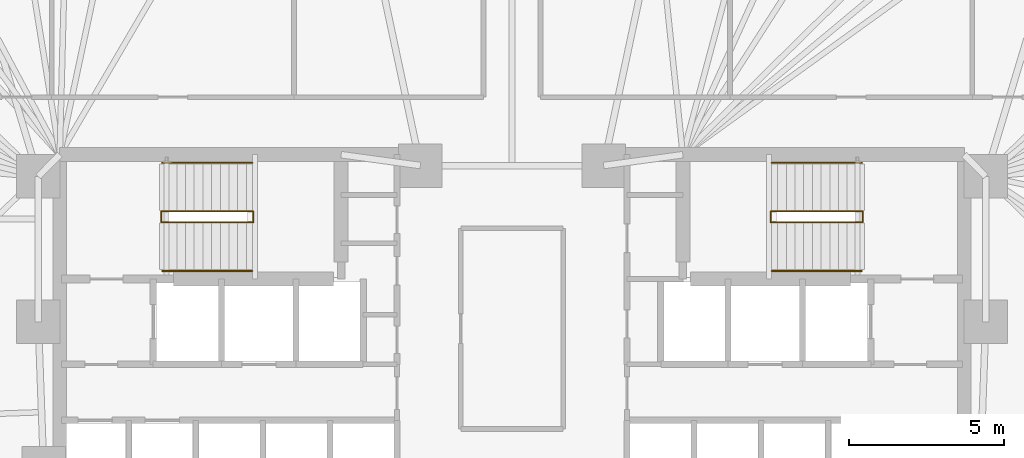
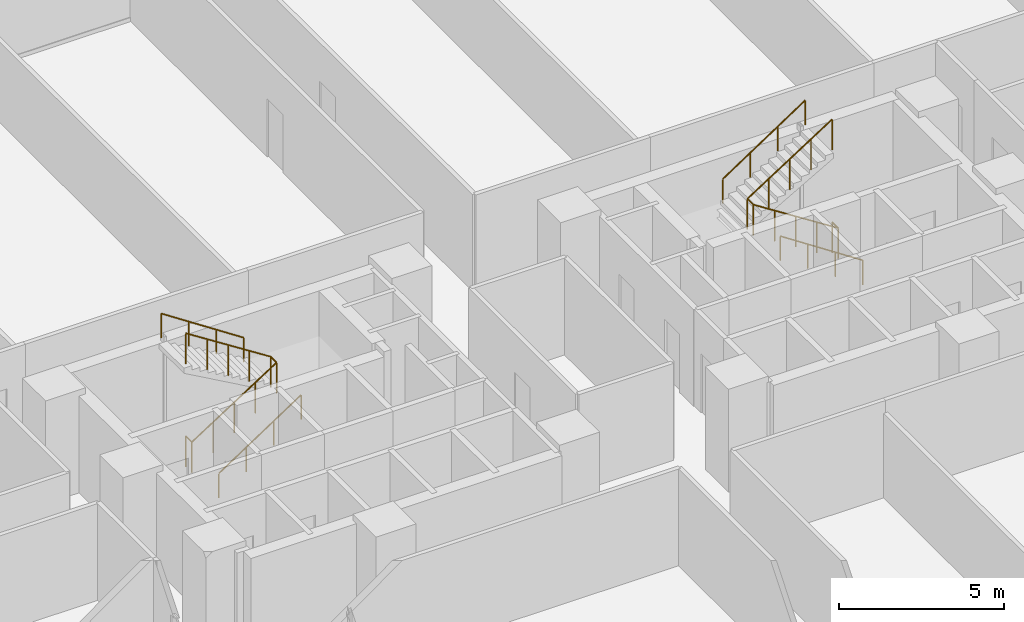
# One storey, part 17 of 17: 6 railings.
"""IFC4 building model written with IfcOpenShell, lengths in metres."""

from ifc_helpers import new_model, si_unit, direction, frame, origin, origin_2d, place, context, subcontext, project, spatial, circle, extrude, material, type_object, element, save


model = new_model("IFC4")

# Units and contexts
model_context = context("Model", 3, precision=1e-05, world=origin(), true_north=direction((0.0, 1.0)))
body_context = subcontext(model_context, "Body", "Model", "MODEL_VIEW")
ifc_project = project(units=[si_unit("LENGTHUNIT", "METRE"), si_unit("AREAUNIT", "SQUARE_METRE"), si_unit("VOLUMEUNIT", "CUBIC_METRE"), si_unit("PLANEANGLEUNIT", "RADIAN"), si_unit("MASSUNIT", "GRAM", prefix="KILO")], contexts=[model_context])

# Site, building, storey
site_placement = place(None, origin())
site = spatial("IfcSite", under=ifc_project, at=site_placement, CompositionType="ELEMENT")
building_placement = place(site_placement, origin())
building = spatial("IfcBuilding", under=site, at=building_placement, Name="Menara Jurai Vektor", CompositionType="ELEMENT")
storey_placement = place(building_placement, frame((0.0, 0.0, 37.0)))
storey = spatial("IfcBuildingStorey", under=building, at=storey_placement, Name="L08", CompositionType="ELEMENT", Elevation=37.0)

# Railings
ifc_material_1 = material(Name="Painted Galvanised Steel Balustrade", Category="steel")
railing_type_1 = type_object("IfcRailingType", Name="RAIL-STAIR-GUARD", PredefinedType="GUARDRAIL", material=ifc_material_1)
railing_1_placement = place(storey_placement, frame((-11.2900390625, 3.780029296875, 0.0)))
element("IfcRailing", 1, at=railing_1_placement, inside=storey, type_object=railing_type_1, Name="ST1 Stair Guardrail 1 L08", PredefinedType="GUARDRAIL", context=body_context, shape_type="SweptSolid", body=[
    extrude(circle(Radius=0.02392578125, at=origin_2d()), frame((0.0, 0.0, 1.1259765625), z_axis=(0.0, -1.0, 0.0), x_axis=(1.0, 0.0, 0.0)), (0.0, 0.0, 1.0), 0.360107421875),
    extrude(circle(Radius=0.02392578125, at=origin_2d()), frame((0.0, -0.360107421875, 1.1259765625), z_axis=(0.841557155905, 0.0, 0.540168078791), x_axis=(0.0, 1.0, 0.0)), (0.0, 0.0, 1.0), 3.517333984375),
    extrude(circle(Radius=0.02392578125, at=origin_2d()), frame((2.9599609375, -0.360107421875, 3.02587890625), z_axis=(0.0, 1.0, 0.0), x_axis=(-1.0, 0.0, 0.0)), (0.0, 0.0, 1.0), 0.360107421875),
    extrude(circle(Radius=0.02392578125, at=origin_2d()), frame((2.9599609375, 0.0, 3.02587890625), z_axis=(-0.841525601958, 0.0, 0.540217235239), x_axis=(0.0, -1.0, 0.0)), (0.0, 0.0, 1.0), 3.517333984375),
    extrude(circle(Radius=0.02099609375, at=origin_2d()), origin(), (0.0, 0.0, 1.0), 1.101806640625),
    extrude(circle(Radius=0.02099609375, at=origin_2d()), frame((0.0, -0.360107421875, 0.0)), (0.0, 0.0, 1.0), 1.101806640625),
    extrude(circle(Radius=0.02099609375, at=origin_2d()), frame((0.739990234375, -0.360107421875, 0.47509765625)), (0.0, 0.0, 1.0), 1.101806640625),
    extrude(circle(Radius=0.02099609375, at=origin_2d()), frame((1.47998046875, -0.360107421875, 0.949951171875)), (0.0, 0.0, 1.0), 1.101806640625),
    extrude(circle(Radius=0.02099609375, at=origin_2d()), frame((2.219970703125, -0.360107421875, 1.4248046875)), (0.0, 0.0, 1.0), 1.101806640625),
    extrude(circle(Radius=0.02099609375, at=origin_2d()), frame((2.9599609375, -0.360107421875, 1.89990234375)), (0.0, 0.0, 1.0), 1.101806640625),
    extrude(circle(Radius=0.02099609375, at=origin_2d()), frame((2.9599609375, 0.0, 1.89990234375)), (0.0, 0.0, 1.0), 1.101806640625),
    extrude(circle(Radius=0.02099609375, at=origin_2d()), frame((2.219970703125, 0.0, 2.375)), (0.0, 0.0, 1.0), 1.101806640625),
    extrude(circle(Radius=0.02099609375, at=origin_2d()), frame((1.47998046875, 0.0, 2.85009765625)), (0.0, 0.0, 1.0), 1.101806640625),
    extrude(circle(Radius=0.02099609375, at=origin_2d()), frame((0.739990234375, 0.0, 3.324951171875)), (0.0, 0.0, 1.0), 1.101806640625),
    extrude(circle(Radius=0.02099609375, at=origin_2d()), frame((0.0, 0.0, 3.800048828125)), (0.0, 0.0, 1.0), 1.101806640625),
])
railing_2_placement = place(storey_placement, frame((11.2900390625, 3.780029296875, 0.0)))
element("IfcRailing", 2, at=railing_2_placement, inside=storey, type_object=railing_type_1, Name="ST2 Stair Guardrail 1 L08", PredefinedType="GUARDRAIL", context=body_context, shape_type="SweptSolid", body=[
    extrude(circle(Radius=0.02392578125, at=origin_2d()), frame((0.0, 0.0, 1.1259765625), z_axis=(0.0, -1.0, 0.0), x_axis=(1.0, 0.0, 0.0)), (0.0, 0.0, 1.0), 0.360107421875),
    extrude(circle(Radius=0.02392578125, at=origin_2d()), frame((0.0, -0.360107421875, 1.1259765625), z_axis=(-0.841557155905, 0.0, 0.540168078791), x_axis=(0.0, -1.0, 0.0)), (0.0, 0.0, 1.0), 3.517333984375),
    extrude(circle(Radius=0.02392578125, at=origin_2d()), frame((-2.9599609375, -0.360107421875, 3.02587890625), z_axis=(0.0, 1.0, 0.0), x_axis=(-1.0, 0.0, 0.0)), (0.0, 0.0, 1.0), 0.360107421875),
    extrude(circle(Radius=0.02392578125, at=origin_2d()), frame((-2.9599609375, 0.0, 3.02587890625), z_axis=(0.841525601958, 0.0, 0.540217235239), x_axis=(0.0, 1.0, 0.0)), (0.0, 0.0, 1.0), 3.517333984375),
    extrude(circle(Radius=0.02099609375, at=origin_2d()), origin(), (0.0, 0.0, 1.0), 1.101806640625),
    extrude(circle(Radius=0.02099609375, at=origin_2d()), frame((0.0, -0.360107421875, 0.0)), (0.0, 0.0, 1.0), 1.101806640625),
    extrude(circle(Radius=0.02099609375, at=origin_2d()), frame((-0.739990234375, -0.360107421875, 0.47509765625)), (0.0, 0.0, 1.0), 1.101806640625),
    extrude(circle(Radius=0.02099609375, at=origin_2d()), frame((-1.47998046875, -0.360107421875, 0.949951171875)), (0.0, 0.0, 1.0), 1.101806640625),
    extrude(circle(Radius=0.02099609375, at=origin_2d()), frame((-2.219970703125, -0.360107421875, 1.4248046875)), (0.0, 0.0, 1.0), 1.101806640625),
    extrude(circle(Radius=0.02099609375, at=origin_2d()), frame((-2.9599609375, -0.360107421875, 1.89990234375)), (0.0, 0.0, 1.0), 1.101806640625),
    extrude(circle(Radius=0.02099609375, at=origin_2d()), frame((-2.9599609375, 0.0, 1.89990234375)), (0.0, 0.0, 1.0), 1.101806640625),
    extrude(circle(Radius=0.02099609375, at=origin_2d()), frame((-2.219970703125, 0.0, 2.375)), (0.0, 0.0, 1.0), 1.101806640625),
    extrude(circle(Radius=0.02099609375, at=origin_2d()), frame((-1.47998046875, 0.0, 2.85009765625)), (0.0, 0.0, 1.0), 1.101806640625),
    extrude(circle(Radius=0.02099609375, at=origin_2d()), frame((-0.739990234375, 0.0, 3.324951171875)), (0.0, 0.0, 1.0), 1.101806640625),
    extrude(circle(Radius=0.02099609375, at=origin_2d()), frame((0.0, 0.0, 3.800048828125)), (0.0, 0.0, 1.0), 1.101806640625),
])
ifc_material_2 = material(Name="Brushed Stainless Steel Handrail", Category="steel")
railing_type_2 = type_object("IfcRailingType", Name="RAIL-STAIR-HAND", PredefinedType="HANDRAIL", material=ifc_material_2)
railing_3_placement = place(storey_placement, frame((-11.25, 1.860107421875, 0.0)))
element("IfcRailing", 3, at=railing_3_placement, inside=storey, type_object=railing_type_2, Name="ST1 Stair Handrail 1 L08", PredefinedType="HANDRAIL", context=body_context, shape_type="SweptSolid", body=[
    extrude(circle(Radius=0.02392578125, at=origin_2d()), frame((0.0, 0.0, 0.89599609375), z_axis=(0.834718698933, 0.0, 0.550676578085), x_axis=(0.0, 1.0, 0.0)), (0.0, 0.0, 1.0), 3.4501953125),
    extrude(circle(Radius=0.02099609375, at=origin_2d()), origin(), (0.0, 0.0, 1.0), 0.871826171875),
    extrude(circle(Radius=0.02099609375, at=origin_2d()), frame((0.9599609375, 0.0, 0.63330078125)), (0.0, 0.0, 1.0), 0.871826171875),
    extrude(circle(Radius=0.02099609375, at=origin_2d()), frame((1.919921875, 0.0, 1.2666015625)), (0.0, 0.0, 1.0), 0.871826171875),
    extrude(circle(Radius=0.02099609375, at=origin_2d()), frame((2.8798828125, 0.0, 1.89990234375)), (0.0, 0.0, 1.0), 0.871826171875),
])
railing_4_placement = place(storey_placement, frame((-8.3701171875, 5.340087890625, 1.89990234375)))
element("IfcRailing", 4, at=railing_4_placement, inside=storey, type_object=railing_type_2, Name="ST1 Stair Handrail 2 L08", PredefinedType="HANDRAIL", context=body_context, shape_type="SweptSolid", body=[
    extrude(circle(Radius=0.02392578125, at=origin_2d()), frame((0.0, 0.0, 0.89599609375), z_axis=(-0.834686171885, 0.0, 0.550725879602), x_axis=(0.0, -1.0, 0.0)), (0.0, 0.0, 1.0), 3.4501953125),
    extrude(circle(Radius=0.02099609375, at=origin_2d()), origin(), (0.0, 0.0, 1.0), 0.871826171875),
    extrude(circle(Radius=0.02099609375, at=origin_2d()), frame((-0.9599609375, 0.0, 0.63330078125)), (0.0, 0.0, 1.0), 0.871826171875),
    extrude(circle(Radius=0.02099609375, at=origin_2d()), frame((-1.919921875, 0.0, 1.266845703125)), (0.0, 0.0, 1.0), 0.871826171875),
    extrude(circle(Radius=0.02099609375, at=origin_2d()), frame((-2.8798828125, 0.0, 1.900146484375)), (0.0, 0.0, 1.0), 0.871826171875),
])
railing_5_placement = place(storey_placement, frame((11.25, 1.860107421875, 0.0)))
element("IfcRailing", 5, at=railing_5_placement, inside=storey, type_object=railing_type_2, Name="ST2 Stair Handrail 1 L08", PredefinedType="HANDRAIL", context=body_context, shape_type="SweptSolid", body=[
    extrude(circle(Radius=0.02392578125, at=origin_2d()), frame((0.0, 0.0, 0.89599609375), z_axis=(-0.834718698933, 0.0, 0.550676578085), x_axis=(0.0, -1.0, 0.0)), (0.0, 0.0, 1.0), 3.4501953125),
    extrude(circle(Radius=0.02099609375, at=origin_2d()), origin(), (0.0, 0.0, 1.0), 0.871826171875),
    extrude(circle(Radius=0.02099609375, at=origin_2d()), frame((-0.9599609375, 0.0, 0.63330078125)), (0.0, 0.0, 1.0), 0.871826171875),
    extrude(circle(Radius=0.02099609375, at=origin_2d()), frame((-1.919921875, 0.0, 1.2666015625)), (0.0, 0.0, 1.0), 0.871826171875),
    extrude(circle(Radius=0.02099609375, at=origin_2d()), frame((-2.8798828125, 0.0, 1.89990234375)), (0.0, 0.0, 1.0), 0.871826171875),
])
railing_6_placement = place(storey_placement, frame((8.3701171875, 5.340087890625, 1.89990234375)))
element("IfcRailing", 6, at=railing_6_placement, inside=storey, type_object=railing_type_2, Name="ST2 Stair Handrail 2 L08", PredefinedType="HANDRAIL", context=body_context, shape_type="SweptSolid", body=[
    extrude(circle(Radius=0.02392578125, at=origin_2d()), frame((0.0, 0.0, 0.89599609375), z_axis=(0.834686171885, 0.0, 0.550725879602), x_axis=(0.0, 1.0, 0.0)), (0.0, 0.0, 1.0), 3.4501953125),
    extrude(circle(Radius=0.02099609375, at=origin_2d()), origin(), (0.0, 0.0, 1.0), 0.871826171875),
    extrude(circle(Radius=0.02099609375, at=origin_2d()), frame((0.9599609375, 0.0, 0.63330078125)), (0.0, 0.0, 1.0), 0.871826171875),
    extrude(circle(Radius=0.02099609375, at=origin_2d()), frame((1.919921875, 0.0, 1.266845703125)), (0.0, 0.0, 1.0), 0.871826171875),
    extrude(circle(Radius=0.02099609375, at=origin_2d()), frame((2.8798828125, 0.0, 1.900146484375)), (0.0, 0.0, 1.0), 0.871826171875),
])

save(model, "model.ifc")
